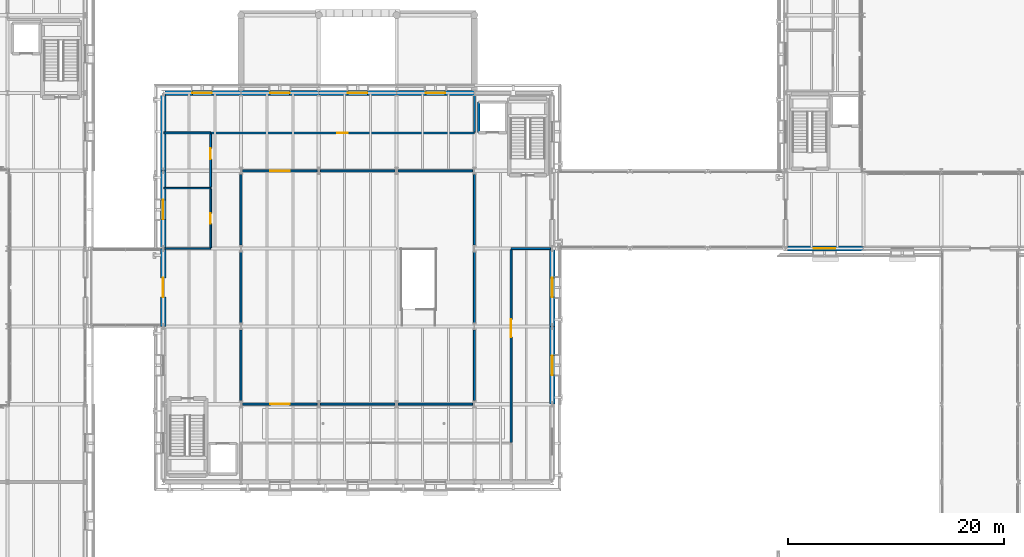
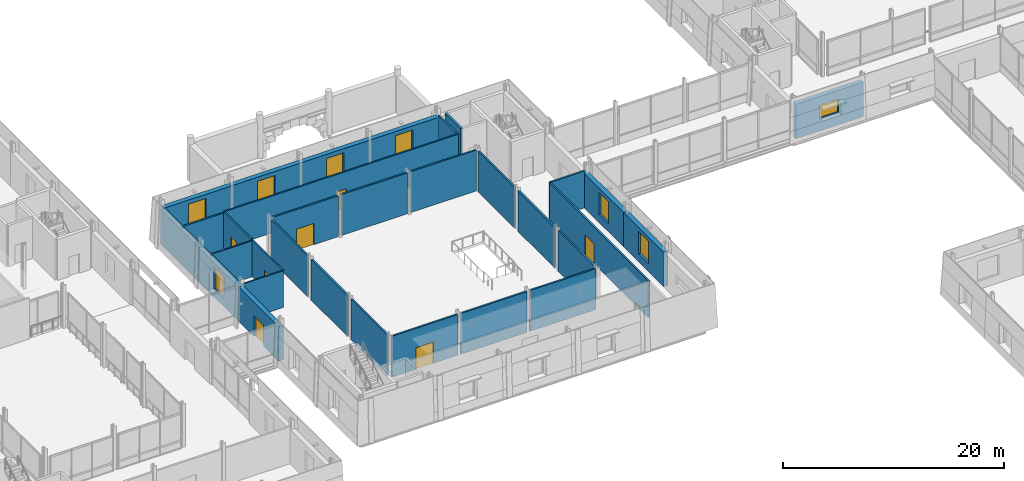
# One storey, part 83 of 121: 32 walls, 8 windows, 7 doors, 15 openings.
"""IFC4 building model written with IfcOpenShell, lengths in metres."""

import ifcopenshell
import ifcopenshell.guid

model = None  # the IFC model being written
_history = None  # IfcOwnerHistory: only IFC2X3 demands one
_inside = {}  # id of a spatial element -> (the spatial element, [elements in it])
_under = {}  # id of a project, library or spatial element -> (it, [spatial elements below it])
_declared = {}  # id of a project -> (the project, [libraries it declares])
_typed = {}  # id of a type object -> (the type object, [elements of that type])
_made_of = {}  # id of a material, layer set ... -> (it, [elements and type objects made of it])


def new_model(schema):
    """Start an empty IFC model of exactly this schema.

    Asked for "IFC4X3", IfcOpenShell would pick the latest addendum, in which some entities
    have other attributes; the version numbers below select the first issue.
    IFC2X3 requires an IfcOwnerHistory on every rooted entity: one is made here for all.
    """
    global model, _history
    if schema == "IFC4X3":
        model = ifcopenshell.file(schema_version=(4, 3, 0, 0))
    else:
        model = ifcopenshell.file(schema=schema)
    _inside.clear()
    _under.clear()
    _declared.clear()
    _typed.clear()
    _made_of.clear()
    _history = None
    if model.schema == "IFC2X3":
        org = make("IfcOrganization", Name="unknown")
        user = make(
            "IfcPersonAndOrganization",
            ThePerson=make("IfcPerson", FamilyName="unknown"),
            TheOrganization=org,
        )
        app = make(
            "IfcApplication",
            ApplicationDeveloper=org,
            Version="unknown",
            ApplicationFullName="unknown",
            ApplicationIdentifier="unknown",
        )
        _history = make(
            "IfcOwnerHistory",
            OwningUser=user,
            OwningApplication=app,
            ChangeAction="ADDED",
            CreationDate=0,
        )
    return model


def make(cls, **values):
    """One entity of the class cls with the attributes given. An attribute that is None is left unset."""
    return model.create_entity(
        cls, **{name: value for name, value in values.items() if value is not None}
    )


def rooted(cls, **values):
    """An entity with a GlobalId (a new one), such as an element, a storey or a relation."""
    return make(cls, GlobalId=ifcopenshell.guid.new(), OwnerHistory=_history, **values)


def si_unit(unit_type, name, prefix=None):
    """IfcSIUnit, for example si_unit("LENGTHUNIT", "METRE", prefix="MILLI")."""
    return make("IfcSIUnit", UnitType=unit_type, Prefix=prefix, Name=name)


def assignment(units):
    """IfcUnitAssignment: the units of a project."""
    return None if units is None else make("IfcUnitAssignment", Units=units)


def point(xyz):
    """IfcCartesianPoint."""
    return None if xyz is None else make("IfcCartesianPoint", Coordinates=xyz)


def direction(xyz):
    """IfcDirection."""
    return None if xyz is None else make("IfcDirection", DirectionRatios=xyz)


def frame(location, z_axis=None, x_axis=None):
    """IfcAxis2Placement3D, a coordinate frame: its origin and axes. An axis left out is left unset."""
    return make(
        "IfcAxis2Placement3D",
        Location=point(location),
        Axis=direction(z_axis),
        RefDirection=direction(x_axis),
    )


def frame_2d(location, x_axis=None):
    """IfcAxis2Placement2D, a coordinate frame in the plane: its origin and x axis."""
    return make(
        "IfcAxis2Placement2D", Location=point(location), RefDirection=direction(x_axis)
    )


def origin():
    """The frame at (0, 0, 0) with its axes left unset."""
    return frame((0.0, 0.0, 0.0))


def place(relative_to, where):
    """IfcLocalPlacement: puts the frame where relative to a parent placement (None: the world)."""
    return make(
        "IfcLocalPlacement", PlacementRelTo=relative_to, RelativePlacement=where
    )


def context(
    kind, dimensions, precision=None, world=None, true_north=None, identifier=None
):
    """IfcGeometricRepresentationContext, for example the 3D "Model" context."""
    return make(
        "IfcGeometricRepresentationContext",
        ContextIdentifier=identifier,
        ContextType=kind,
        CoordinateSpaceDimension=dimensions,
        Precision=precision,
        WorldCoordinateSystem=world,
        TrueNorth=true_north,
    )


def subcontext(parent, identifier, kind, view, scale=None):
    """IfcGeometricRepresentationSubContext, for example "Body" below "Model"."""
    return make(
        "IfcGeometricRepresentationSubContext",
        ContextIdentifier=identifier,
        ContextType=kind,
        ParentContext=parent,
        TargetScale=scale,
        TargetView=view,
    )


def project(units=None, contexts=None):
    """IfcProject with its units and contexts."""
    return rooted(
        "IfcProject",
        Name="project",
        RepresentationContexts=contexts,
        UnitsInContext=assignment(units),
    )


def spatial(cls, under=None, at=None, **own):
    """A site, building, storey or space (cls), placed at a placement, below another one or the project."""
    s = rooted(cls, ObjectPlacement=at, **own)
    if under is not None:
        _under.setdefault(under.id(), (under, []))[1].append(s)
    return s


def profile(cls, at=None, kind="AREA", **sizes):
    """A parametric profile (cls). Its sizes go by their IFC names, for example OverallWidth=200.0."""
    return make(cls, ProfileType=kind, Position=at, **sizes)


def rectangle(**sizes):
    """IfcRectangleProfileDef."""
    return profile("IfcRectangleProfileDef", **sizes)


def extrude(swept, where, along, depth):
    """IfcExtrudedAreaSolid: the profile swept, set in the frame where, extruded along a direction by depth."""
    return make(
        "IfcExtrudedAreaSolid",
        SweptArea=swept,
        Position=where,
        ExtrudedDirection=direction(along),
        Depth=depth,
    )


def shape(context_of_items, identifier, shape_type, items):
    """IfcShapeRepresentation: the items that make up one representation, for example the "Body"."""
    return make(
        "IfcShapeRepresentation",
        ContextOfItems=context_of_items,
        RepresentationIdentifier=identifier,
        RepresentationType=shape_type,
        Items=items,
    )


def material(Name=None, Category=None):
    """IfcMaterial."""
    return make("IfcMaterial", Name=Name, Category=Category)


def layer(
    of_material, thickness, ventilated=None, Name=None, Category=None, Priority=None
):
    """IfcMaterialLayer: one layer of a wall or slab, of a material (None: an air gap)."""
    return make(
        "IfcMaterialLayer",
        Material=of_material,
        LayerThickness=thickness,
        IsVentilated=ventilated,
        Name=Name,
        Category=Category,
        Priority=Priority,
    )


def layer_set(layers, Name=None):
    """IfcMaterialLayerSet."""
    return make("IfcMaterialLayerSet", MaterialLayers=layers, LayerSetName=Name)


def made_of(thing, what):
    """Note that an element or type object is made of a material, layer set ...; save() writes the relation."""
    if what is not None:
        _made_of.setdefault(what.id(), (what, []))[1].append(thing)
    return thing


def type_object(cls, material=None, **own):
    """A type object (cls), such as IfcWallType, which elements share."""
    return made_of(rooted(cls, **own), material)


def element(
    cls,
    number,
    at=None,
    inside=None,
    cuts=None,
    type_object=None,
    material=None,
    context=None,
    identifier="Body",
    shape_type=None,
    held_by="IfcProductDefinitionShape",
    body=None,
    shapes=None,
    **own,
):
    """One element of the class cls, such as IfcWall. Its Tag is "e" and its number.

    at: its placement. inside: the storey or other place that contains it. cuts: it is an
    opening in that element (IfcRelVoidsElement). A single representation is given by context,
    identifier, shape_type and body (its items); several are given by shapes. held_by: the class
    of the entity that holds the representations. save() writes the other relations.
    """
    e = rooted(cls, Tag="e%d" % number, ObjectPlacement=at, **own)
    if body is not None:
        shapes = [shape(context, identifier, shape_type, body)]
    if shapes is not None:
        e.Representation = make(held_by, Representations=shapes)
    if inside is not None:
        _inside.setdefault(inside.id(), (inside, []))[1].append(e)
    if cuts is not None:
        rooted(
            "IfcRelVoidsElement", RelatingBuildingElement=cuts, RelatedOpeningElement=e
        )
    if type_object is not None:
        _typed.setdefault(type_object.id(), (type_object, []))[1].append(e)
    return made_of(e, material)


def fill(opening, filler):
    """IfcRelFillsElement: the door or window that sits in an opening."""
    return rooted(
        "IfcRelFillsElement",
        RelatingOpeningElement=opening,
        RelatedBuildingElement=filler,
    )


def aggregate(whole, parts):
    """IfcRelAggregates: a whole, such as a stair, and the parts it consists of."""
    return rooted("IfcRelAggregates", RelatingObject=whole, RelatedObjects=parts)


def save(model, path):
    """Write the relations noted so far, then the file.

    IfcRelAggregates (storeys below a building ...), IfcRelContainedInSpatialStructure (elements
    in a storey), IfcRelDefinesByType, IfcRelAssociatesMaterial and IfcRelDeclares: one each for
    every whole, place, type object, material and project.
    """
    for whole, parts in _under.values():
        aggregate(whole, parts)
    for where, things in _inside.values():
        rooted(
            "IfcRelContainedInSpatialStructure",
            RelatedElements=things,
            RelatingStructure=where,
        )
    for kind, things in _typed.values():
        rooted("IfcRelDefinesByType", RelatedObjects=things, RelatingType=kind)
    for what, things in _made_of.values():
        rooted("IfcRelAssociatesMaterial", RelatedObjects=things, RelatingMaterial=what)
    for by, libraries in _declared.values():
        rooted("IfcRelDeclares", RelatingContext=by, RelatedDefinitions=libraries)
    model.write(path)


model = new_model("IFC4")

# Units and contexts
model_context = context("Model", 3, precision=1e-05, world=origin(), true_north=direction((0.0, 1.0)))
body_context = subcontext(model_context, "Body", "Model", "MODEL_VIEW")
ifc_project = project(units=[si_unit("LENGTHUNIT", "METRE"), si_unit("AREAUNIT", "SQUARE_METRE"), si_unit("VOLUMEUNIT", "CUBIC_METRE"), si_unit("PLANEANGLEUNIT", "RADIAN"), si_unit("MASSUNIT", "GRAM", prefix="KILO")], contexts=[model_context])

# Site, building, storey
site_placement = place(None, origin())
site = spatial("IfcSite", under=ifc_project, at=site_placement, CompositionType="ELEMENT")
building_placement = place(site_placement, origin())
building = spatial("IfcBuilding", under=site, at=building_placement, Name="Narikvali Park Central Library", CompositionType="ELEMENT")
storey_placement = place(building_placement, frame((0.0, 0.0, 5.39990234375)))
storey = spatial("IfcBuildingStorey", under=building, at=storey_placement, Name="L01", CompositionType="ELEMENT", Elevation=5.39990234375)

# Walls
ifc_material_1 = material(Name="Moisture-Resistant Cement Board on Steel Studs", Category="steel")
ifc_layer_1 = layer(ifc_material_1, 0.14990234375, Name="Moisture-Resistant Cement Board on Steel Studs")
ifc_layer_set_1 = layer_set([ifc_layer_1], Name="Moisture-Resistant Cement Board on Steel Studs")
wall_type_1 = type_object("IfcWallType", Name="Moisture-Resistant WC Partition 150", PredefinedType="PARTITIONING", material=ifc_layer_set_1)
wall_1_placement = place(storey_placement, frame((64.9541015625, 79.199951171875, 0.0), z_axis=(0.0, 0.0, 1.0), x_axis=(1.0, 0.0, 0.0)))
element("IfcWall", 1, at=wall_1_placement, inside=storey, type_object=wall_type_1, Name="Accessible WC and Readers Restrooms L01 Partition S", PredefinedType="PARTITIONING", context=body_context, shape_type="SweptSolid", body=[
    extrude(rectangle(XDim=4.245849609375, YDim=0.14990234375, at=frame_2d((2.123046875, 0.0))), origin(), (0.0, 0.0, 1.0), 4.05517578125),
])
wall_2_placement = place(storey_placement, frame((64.85498046875, 84.800048828125, 0.0), z_axis=(0.0, 0.0, 1.0), x_axis=(1.0, 0.0, 0.0)))
element("IfcWall", 2, at=wall_2_placement, inside=storey, type_object=wall_type_1, Name="Accessible WC and Readers Restrooms L01 Partition N", PredefinedType="PARTITIONING", context=body_context, shape_type="SweptSolid", body=[
    extrude(rectangle(XDim=4.344970703125, YDim=0.14990234375, at=frame_2d((2.17236328125, 0.0))), origin(), (0.0, 0.0, 1.0), 3.955078125),
])

# Wall, opening, door
wall_3_placement = place(storey_placement, frame((69.199951171875, 79.277099609375, 0.0), z_axis=(0.0, 0.0, 1.0), x_axis=(0.0, 1.0, 0.0)))
wall_3 = element("IfcWall", 3, at=wall_3_placement, inside=storey, type_object=wall_type_1, Name="Accessible WC and Readers Restrooms L01 Partition E", PredefinedType="PARTITIONING", context=body_context, shape_type="SweptSolid", body=[
    extrude(rectangle(XDim=5.44580078125, YDim=0.14990234375, at=frame_2d((2.722900390625, 0.0))), origin(), (0.0, 0.0, 1.0), 4.05517578125),
])
opening_1_placement = place(wall_3_placement, frame((2.23291015625, 0.0, 0.0)))
opening_1 = element("IfcOpeningElement", 4, at=opening_1_placement, cuts=wall_3, Name="Opening ID-0002", PredefinedType="OPENING", context=body_context, shape_type="SweptSolid", body=[
    extrude(rectangle(XDim=0.97998046875, YDim=2.10009765625, at=frame_2d((0.489990234375, 1.050048828125))), frame((0.0, 0.0869140625, 0.0), z_axis=(0.0, -1.0, 0.0), x_axis=(1.0, 0.0, 0.0)), (0.0, 0.0, 1.0), 0.173828125),
])
ifc_material_2 = material(Name="Laminate Faced Hardwood Core", Category="wood")
door_type_1 = type_object("IfcDoorType", Name="Accessible WC Outward-Opening Door 980x2100", OperationType="SINGLE_SWING_RIGHT", PredefinedType="DOOR", material=ifc_material_2)
door_1_placement = place(opening_1_placement, frame((0.97998046875, 0.0, 0.0), z_axis=(0.0, 0.0, 1.0), x_axis=(-1.0, 0.0, 0.0)))
door_1 = element("IfcDoor", 5, at=door_1_placement, inside=storey, type_object=door_type_1, Name="Accessible WC and Readers Restrooms L01 Door ID-0002", OperationType="SINGLE_SWING_RIGHT", OverallHeight=2.10009765625, OverallWidth=0.97998046875, PredefinedType="DOOR", context=body_context, shape_type="SweptSolid", body=[
    extrude(rectangle(XDim=0.97998046875, YDim=2.10009765625, at=frame_2d((0.489990234375, 1.050048828125))), frame((0.0, 0.02490234375, 0.0), z_axis=(0.0, -1.0, 0.0), x_axis=(1.0, 0.0, 0.0)), (0.0, 0.0, 1.0), 0.050048828125),
])
fill(opening_1, door_1)

# Wall
ifc_material_3 = material(Name="Acoustic Gypsum on Steel Studs", Category="steel")
ifc_layer_2 = layer(ifc_material_3, 0.179931640625, Name="Acoustic Gypsum on Steel Studs")
ifc_layer_set_2 = layer_set([ifc_layer_2], Name="Acoustic Gypsum on Steel Studs")
wall_type_2 = type_object("IfcWallType", Name="Reading Room Acoustic Partition 180", PredefinedType="PARTITIONING", material=ifc_layer_set_2)
wall_4_placement = place(storey_placement, frame((97.0, 79.199951171875, 0.0), z_axis=(0.0, 0.0, 1.0), x_axis=(1.0, 0.0, 0.0)))
element("IfcWall", 6, at=wall_4_placement, inside=storey, type_object=wall_type_2, Name="Classical Literature Reading Alcove Partition N", PredefinedType="PARTITIONING", context=body_context, shape_type="SweptSolid", body=[
    extrude(rectangle(XDim=3.64599609375, YDim=0.179931640625, at=frame_2d((1.822998046875, 0.0))), origin(), (0.0, 0.0, 1.0), 4.05517578125),
])

# Wall, opening, door
wall_5_placement = place(storey_placement, frame((72.154052734375, 64.800048828125, 0.0), z_axis=(0.0, 0.0, 1.0), x_axis=(1.0, 0.0, 0.0)))
wall_5 = element("IfcWall", 7, at=wall_5_placement, inside=storey, type_object=wall_type_2, Name="Main Reading Hall Partition S", PredefinedType="PARTITIONING", context=body_context, shape_type="SweptSolid", body=[
    extrude(rectangle(XDim=6.891845703125, YDim=0.179931640625, at=frame_2d((3.44580078125, 0.0))), origin(), (0.0, 0.0, 1.0), 4.505126953125),
])
opening_2_placement = place(wall_5_placement, frame((2.5458984375, 0.0, 0.0)))
opening_2 = element("IfcOpeningElement", 8, at=opening_2_placement, cuts=wall_5, Name="Opening ID-0038", PredefinedType="OPENING", context=body_context, shape_type="SweptSolid", body=[
    extrude(rectangle(XDim=1.800048828125, YDim=2.35009765625, at=frame_2d((0.89990234375, 1.175048828125))), frame((0.0, 0.10205078125, 0.0), z_axis=(0.0, -1.0, 0.0), x_axis=(1.0, 0.0, 0.0)), (0.0, 0.0, 1.0), 0.203857421875),
])
ifc_material_4 = material(Name="Solid Caucasian Oak and Acoustic Glass", Category="glass")
door_type_2 = type_object("IfcDoorType", Name="Reading Hall Double Oak Acoustic Door 1800x2350", OperationType="DOUBLE_DOOR_SINGLE_SWING", PredefinedType="DOOR", material=ifc_material_4)
door_2_placement = place(opening_2_placement, frame((1.800048828125, 0.0, 0.0), z_axis=(0.0, 0.0, 1.0), x_axis=(-1.0, 0.0, 0.0)))
door_2 = element("IfcDoor", 9, at=door_2_placement, inside=storey, type_object=door_type_2, Name="Main Reading Hall Door ID-0038", OperationType="DOUBLE_DOOR_SINGLE_SWING", OverallHeight=2.35009765625, OverallWidth=1.800048828125, PredefinedType="DOOR", context=body_context, shape_type="SweptSolid", body=[
    extrude(rectangle(XDim=1.800048828125, YDim=2.35009765625, at=frame_2d((0.89990234375, 1.175048828125))), frame((0.0, 0.02490234375, 0.0), z_axis=(0.0, -1.0, 0.0), x_axis=(1.0, 0.0, 0.0)), (0.0, 0.0, 1.0), 0.050048828125),
])
fill(opening_2, door_2)

# Walls
for number, where, z_axis, x_axis, name in (
    (10, (79.35400390625, 64.800048828125, 0.0), (0.0, 0.0, 1.0), (1.0, 0.0, 0.0), "Main Reading Hall Partition S"),
    (11, (86.553955078125, 64.800048828125, 0.0), (0.0, 0.0, 1.0), (1.0, 0.0, 0.0), "Main Reading Hall Partition S"),
):
    element("IfcWall", number, at=place(storey_placement, frame(where, z_axis=z_axis, x_axis=x_axis)), inside=storey, type_object=wall_type_2, Name=name, PredefinedType="PARTITIONING", context=body_context, shape_type="SweptSolid", body=[
        extrude(rectangle(XDim=6.89208984375, YDim=0.179931640625, at=frame_2d((3.446044921875, 0.0))), origin(), (0.0, 0.0, 1.0), 4.505126953125),
    ])

# Wall, opening, door
wall_6_placement = place(storey_placement, frame((72.154052734375, 86.39990234375, 0.0), z_axis=(0.0, 0.0, 1.0), x_axis=(1.0, 0.0, 0.0)))
wall_6 = element("IfcWall", 12, at=wall_6_placement, inside=storey, type_object=wall_type_2, Name="Main Reading Hall Partition N", PredefinedType="PARTITIONING", context=body_context, shape_type="SweptSolid", body=[
    extrude(rectangle(XDim=6.891845703125, YDim=0.179931640625, at=frame_2d((3.44580078125, 0.0))), origin(), (0.0, 0.0, 1.0), 4.505126953125),
])
opening_3_placement = place(wall_6_placement, frame((2.5458984375, 0.0, 0.0)))
opening_3 = element("IfcOpeningElement", 13, at=opening_3_placement, cuts=wall_6, Name="Opening ID-0039", PredefinedType="OPENING", context=body_context, shape_type="SweptSolid", body=[
    extrude(rectangle(XDim=1.800048828125, YDim=2.35009765625, at=frame_2d((0.89990234375, 1.175048828125))), frame((0.0, 0.10205078125, 0.0), z_axis=(0.0, -1.0, 0.0), x_axis=(1.0, 0.0, 0.0)), (0.0, 0.0, 1.0), 0.203857421875),
])
door_3_placement = place(opening_3_placement, origin())
door_3 = element("IfcDoor", 14, at=door_3_placement, inside=storey, type_object=door_type_2, Name="Main Reading Hall Door ID-0039", OperationType="DOUBLE_DOOR_SINGLE_SWING", OverallHeight=2.35009765625, OverallWidth=1.800048828125, PredefinedType="DOOR", context=body_context, shape_type="SweptSolid", body=[
    extrude(rectangle(XDim=1.800048828125, YDim=2.35009765625, at=frame_2d((0.89990234375, 1.175048828125))), frame((0.0, 0.02490234375, 0.0), z_axis=(0.0, -1.0, 0.0), x_axis=(1.0, 0.0, 0.0)), (0.0, 0.0, 1.0), 0.050048828125),
])
fill(opening_3, door_3)

# Walls
for number, where, z_axis, x_axis, name in (
    (15, (79.35400390625, 86.39990234375, 0.0), (0.0, 0.0, 1.0), (1.0, 0.0, 0.0), "Main Reading Hall Partition N"),
    (16, (86.553955078125, 86.39990234375, 0.0), (0.0, 0.0, 1.0), (1.0, 0.0, 0.0), "Main Reading Hall Partition N"),
):
    element("IfcWall", number, at=place(storey_placement, frame(where, z_axis=z_axis, x_axis=x_axis)), inside=storey, type_object=wall_type_2, Name=name, PredefinedType="PARTITIONING", context=body_context, shape_type="SweptSolid", body=[
        extrude(rectangle(XDim=6.89208984375, YDim=0.179931640625, at=frame_2d((3.446044921875, 0.0))), origin(), (0.0, 0.0, 1.0), 4.505126953125),
    ])
wall_7_placement = place(storey_placement, frame((64.85498046875, 89.89990234375, 0.0), z_axis=(0.0, 0.0, 1.0), x_axis=(1.0, 0.0, 0.0)))
element("IfcWall", 17, at=wall_7_placement, inside=storey, type_object=wall_type_2, Name="Reading Hall Book Trolley Room Partition N", PredefinedType="PARTITIONING", context=body_context, shape_type="SweptSolid", body=[
    extrude(rectangle(XDim=4.344970703125, YDim=0.179931640625, at=frame_2d((2.17236328125, 0.0))), origin(), (0.0, 0.0, 1.0), 3.955078125),
])

# Wall, opening, door
wall_8_placement = place(storey_placement, frame((97.0, 61.27197265625, 0.0), z_axis=(0.0, 0.0, 1.0), x_axis=(0.0, 1.0, 0.0)))
wall_8 = element("IfcWall", 18, at=wall_8_placement, inside=storey, type_object=wall_type_2, Name="Classical Literature Reading Alcove Partition W", PredefinedType="PARTITIONING", context=body_context, shape_type="SweptSolid", body=[
    extrude(rectangle(XDim=17.8359375, YDim=0.179931640625, at=frame_2d((8.91796875, 0.0))), origin(), (0.0, 0.0, 1.0), 4.05517578125),
])
opening_4_placement = place(wall_8_placement, frame((9.737060546875, 0.0, 0.0)))
opening_4 = element("IfcOpeningElement", 19, at=opening_4_placement, cuts=wall_8, Name="Opening ID-0037", PredefinedType="OPENING", context=body_context, shape_type="SweptSolid", body=[
    extrude(rectangle(XDim=1.64990234375, YDim=2.25, at=frame_2d((0.824951171875, 1.125))), frame((0.0, 0.10205078125, 0.0), z_axis=(0.0, -1.0, 0.0), x_axis=(1.0, 0.0, 0.0)), (0.0, 0.0, 1.0), 0.203857421875),
])
ifc_material_5 = material(Name="Caucasian Oak and Tempered Glass", Category="glass")
door_type_3 = type_object("IfcDoorType", Name="Open Stacks Double Glazed Door 1650x2250", OperationType="DOUBLE_DOOR_SINGLE_SWING", PredefinedType="DOOR", material=ifc_material_5)
door_4_placement = place(opening_4_placement, frame((1.64990234375, 0.0, 0.0), z_axis=(0.0, 0.0, 1.0), x_axis=(-1.0, 0.0, 0.0)))
door_4 = element("IfcDoor", 20, at=door_4_placement, inside=storey, type_object=door_type_3, Name="Classical Literature Reading Alcove Door ID-0037", OperationType="DOUBLE_DOOR_SINGLE_SWING", OverallHeight=2.25, OverallWidth=1.64990234375, PredefinedType="DOOR", context=body_context, shape_type="SweptSolid", body=[
    extrude(rectangle(XDim=1.64990234375, YDim=2.25, at=frame_2d((0.824951171875, 1.125))), frame((0.0, 0.02490234375, 0.0), z_axis=(0.0, -1.0, 0.0), x_axis=(1.0, 0.0, 0.0)), (0.0, 0.0, 1.0), 0.050048828125),
])
fill(opening_4, door_4)

# Walls
for number, where, z_axis, x_axis, name in (
    (21, (72.0, 65.12890625, 0.0), (0.0, 0.0, 1.0), (0.0, 1.0, 0.0), "Main Reading Hall Partition W"),
    (22, (72.0, 72.3291015625, 0.0), (0.0, 0.0, 1.0), (0.0, 1.0, 0.0), "Main Reading Hall Partition W"),
    (23, (72.0, 79.529052734375, 0.0), (0.0, 0.0, 1.0), (0.0, 1.0, 0.0), "Main Reading Hall Partition W"),
    (24, (93.60009765625, 65.12890625, 0.0), (0.0, 0.0, 1.0), (0.0, 1.0, 0.0), "Main Reading Hall Partition E"),
    (25, (93.60009765625, 72.3291015625, 0.0), (0.0, 0.0, 1.0), (0.0, 1.0, 0.0), "Main Reading Hall Partition E"),
    (26, (93.60009765625, 79.529052734375, 0.0), (0.0, 0.0, 1.0), (0.0, 1.0, 0.0), "Main Reading Hall Partition E"),
):
    element("IfcWall", number, at=place(storey_placement, frame(where, z_axis=z_axis, x_axis=x_axis)), inside=storey, type_object=wall_type_2, Name=name, PredefinedType="PARTITIONING", context=body_context, shape_type="SweptSolid", body=[
        extrude(rectangle(XDim=6.5419921875, YDim=0.179931640625, at=frame_2d((3.27099609375, 0.0))), origin(), (0.0, 0.0, 1.0), 4.505126953125),
    ])

# Wall, opening, door
wall_9_placement = place(storey_placement, frame((69.199951171875, 84.876953125, 0.0), z_axis=(0.0, 0.0, 1.0), x_axis=(0.0, 1.0, 0.0)))
wall_9 = element("IfcWall", 27, at=wall_9_placement, inside=storey, type_object=wall_type_2, Name="Reading Hall Book Trolley Room Partition E", PredefinedType="PARTITIONING", context=body_context, shape_type="SweptSolid", body=[
    extrude(rectangle(XDim=4.93115234375, YDim=0.179931640625, at=frame_2d((2.465576171875, 0.0))), origin(), (0.0, 0.0, 1.0), 4.05517578125),
])
opening_5_placement = place(wall_9_placement, frame((2.60693359375, 0.0, 0.0)))
opening_5 = element("IfcOpeningElement", 28, at=opening_5_placement, cuts=wall_9, Name="Opening ID-0040", PredefinedType="OPENING", context=body_context, shape_type="SweptSolid", body=[
    extrude(rectangle(XDim=1.0, YDim=2.14990234375, at=frame_2d((0.5, 1.074951171875))), frame((0.0, 0.10205078125, 0.0), z_axis=(0.0, -1.0, 0.0), x_axis=(1.0, 0.0, 0.0)), (0.0, 0.0, 1.0), 0.203857421875),
])
ifc_material_6 = material(Name="Solid Caucasian Oak")
door_type_4 = type_object("IfcDoorType", Name="Study Room Single Oak Door 1000x2150", OperationType="SINGLE_SWING_LEFT", PredefinedType="DOOR", material=ifc_material_6)
door_5_placement = place(opening_5_placement, origin())
door_5 = element("IfcDoor", 29, at=door_5_placement, inside=storey, type_object=door_type_4, Name="Reading Hall Book Trolley Room Door ID-0040", OperationType="SINGLE_SWING_RIGHT", OverallHeight=2.14990234375, OverallWidth=1.0, PredefinedType="DOOR", context=body_context, shape_type="SweptSolid", body=[
    extrude(rectangle(XDim=1.0, YDim=2.14990234375, at=frame_2d((0.5, 1.074951171875))), frame((0.0, 0.02490234375, 0.0), z_axis=(0.0, -1.0, 0.0), x_axis=(1.0, 0.0, 0.0)), (0.0, 0.0, 1.0), 0.050048828125),
])
fill(opening_5, door_5)

# Wall
ifc_material_7 = material(Name="Concrete C40/50", Category="concrete")
ifc_layer_3 = layer(ifc_material_7, 0.25, Name="Concrete C40/50")
ifc_layer_set_3 = layer_set([ifc_layer_3], Name="Concrete C40/50")
wall_type_3 = type_object("IfcWallType", Name="Reinforced Concrete Lift Shaft Wall 250", PredefinedType="SHEAR", material=ifc_layer_set_3)
wall_10_placement = place(storey_placement, frame((94.0, 92.75, 0.0), z_axis=(0.0, 0.0, 1.0), x_axis=(0.0, -1.0, 0.0)))
element("IfcWall", 30, at=wall_10_placement, inside=storey, type_object=wall_type_3, Name="L-02 L01 Lift Shaft Wall W", PredefinedType="SHEAR", context=body_context, shape_type="SweptSolid", body=[
    extrude(rectangle(XDim=2.800048828125, YDim=0.25, at=frame_2d((1.39990234375, 0.0))), origin(), (0.0, 0.0, 1.0), 4.52001953125),
])

# Wall, opening, door
ifc_material_8 = material(Name="Gypsum Board on Galvanised Steel Studs", Category="steel")
ifc_layer_4 = layer(ifc_material_8, 0.159912109375, Name="Gypsum Board on Galvanised Steel Studs")
ifc_layer_set_4 = layer_set([ifc_layer_4], Name="Gypsum Board on Galvanised Steel Studs")
wall_type_4 = type_object("IfcWallType", Name="Study Room Partition Wall 160", PredefinedType="PARTITIONING", material=ifc_layer_set_4)
wall_11_placement = place(storey_placement, frame((69.201904296875, 89.89990234375, 0.0), z_axis=(0.0, 0.0, 1.0), x_axis=(1.0, 0.0, 0.0)))
wall_11 = element("IfcWall", 31, at=wall_11_placement, inside=storey, type_object=wall_type_4, Name="Encyclopaedia Study Gallery Partition S", PredefinedType="PARTITIONING", context=body_context, shape_type="SweptSolid", body=[
    extrude(rectangle(XDim=24.398193359375, YDim=0.159912109375, at=frame_2d((12.19921875, 0.0))), origin(), (0.0, 0.0, 1.0), 4.065185546875),
])
opening_6_placement = place(wall_11_placement, frame((11.698974609375, 0.0, 0.0)))
opening_6 = element("IfcOpeningElement", 32, at=opening_6_placement, cuts=wall_11, Name="Opening ID-0041", PredefinedType="OPENING", context=body_context, shape_type="SweptSolid", body=[
    extrude(rectangle(XDim=1.0, YDim=2.14990234375, at=frame_2d((0.5, 1.074951171875))), frame((0.0, 0.091796875, 0.0), z_axis=(0.0, -1.0, 0.0), x_axis=(1.0, 0.0, 0.0)), (0.0, 0.0, 1.0), 0.183837890625),
])
door_6_placement = place(opening_6_placement, origin())
door_6 = element("IfcDoor", 33, at=door_6_placement, inside=storey, type_object=door_type_4, Name="Encyclopaedia Study Gallery Door ID-0041", OperationType="SINGLE_SWING_LEFT", OverallHeight=2.14990234375, OverallWidth=1.0, PredefinedType="DOOR", context=body_context, shape_type="SweptSolid", body=[
    extrude(rectangle(XDim=1.0, YDim=2.14990234375, at=frame_2d((0.5, 1.074951171875))), frame((0.0, 0.02490234375, 0.0), z_axis=(0.0, -1.0, 0.0), x_axis=(1.0, 0.0, 0.0)), (0.0, 0.0, 1.0), 0.050048828125),
])
fill(opening_6, door_6)

# Wall
wall_12_placement = place(storey_placement, frame((93.60009765625, 89.98193359375, 0.0), z_axis=(0.0, 0.0, 1.0), x_axis=(0.0, 1.0, 0.0)))
element("IfcWall", 34, at=wall_12_placement, inside=storey, type_object=wall_type_4, Name="Encyclopaedia Study Gallery Partition E", PredefinedType="PARTITIONING", context=body_context, shape_type="SweptSolid", body=[
    extrude(rectangle(XDim=3.364013671875, YDim=0.159912109375, at=frame_2d((1.68212890625, 0.0))), origin(), (0.0, 0.0, 1.0), 4.065185546875),
])

# Wall, opening, window
ifc_material_9 = material(Name="White Honed Limestone over Concrete C35/45", Category="masonry")
ifc_layer_5 = layer(ifc_material_9, 0.47998046875, Name="White Honed Limestone over Concrete C35/45")
ifc_layer_set_5 = layer_set([ifc_layer_5], Name="White Honed Limestone over Concrete C35/45")
wall_type_5 = type_object("IfcWallType", Name="White Limestone Battered Tier1 Wall 480", PredefinedType="SOLIDWALL", material=ifc_layer_set_5)
wall_13_placement = place(storey_placement, frame((100.800048828125, 64.800048828125, 0.0), z_axis=(0.0, 0.0, 1.0), x_axis=(0.0, 1.0, 0.0)))
wall_13 = element("IfcWall", 35, at=wall_13_placement, inside=storey, type_object=wall_type_5, Name="V1 L01 E Exterior Limestone Wall B02", PredefinedType="SOLIDWALL", context=body_context, shape_type="SweptSolid", body=[
    extrude(rectangle(XDim=7.199951171875, YDim=0.47998046875, at=frame_2d((3.60009765625, 0.0))), origin(), (0.0, 0.0, 1.0), 3.800048828125),
])
opening_7_placement = place(wall_13_placement, frame((2.699951171875, 0.0, 0.89990234375)))
opening_7 = element("IfcOpeningElement", 36, at=opening_7_placement, cuts=wall_13, Name="Opening WIN-0014", PredefinedType="OPENING", context=body_context, shape_type="SweptSolid", body=[
    extrude(rectangle(XDim=1.800048828125, YDim=2.449951171875, at=frame_2d((0.89990234375, 1.22509765625))), frame((0.0, 0.251953125, 0.0), z_axis=(0.0, -1.0, 0.0), x_axis=(1.0, 0.0, 0.0)), (0.0, 0.0, 1.0), 0.50390625),
])
ifc_material_10 = material(Name="Anodised Bronze Aluminium and Low-E Triple Glazing", Category="aluminium")
window_type_1 = type_object("IfcWindowType", Name="Rotunda Piano Nobile Tall Classical Window 1800x2450", PartitioningType="DOUBLE_PANEL_VERTICAL", PredefinedType="WINDOW", material=ifc_material_10)
window_1_placement = place(opening_7_placement, origin())
window_1 = element("IfcWindow", 37, at=window_1_placement, inside=storey, type_object=window_type_1, Name="V1 L01 E Deep-Reveal Window WIN-0014", OverallHeight=2.449951171875, OverallWidth=1.800048828125, PartitioningType="SINGLE_PANEL", PredefinedType="WINDOW", context=body_context, shape_type="SweptSolid", body=[
    extrude(rectangle(XDim=1.800048828125, YDim=2.449951171875, at=frame_2d((0.89990234375, 1.22509765625))), frame((0.0, 0.030029296875, 0.0), z_axis=(0.0, -1.0, 0.0), x_axis=(1.0, 0.0, 0.0)), (0.0, 0.0, 1.0), 0.06005859375),
])
fill(opening_7, window_1)

wall_14_placement = place(storey_placement, frame((100.800048828125, 72.0, 0.0), z_axis=(0.0, 0.0, 1.0), x_axis=(0.0, 1.0, 0.0)))
wall_14 = element("IfcWall", 38, at=wall_14_placement, inside=storey, type_object=wall_type_5, Name="V1 L01 E Exterior Limestone Wall B03", PredefinedType="SOLIDWALL", context=body_context, shape_type="SweptSolid", body=[
    extrude(rectangle(XDim=7.199951171875, YDim=0.47998046875, at=frame_2d((3.60009765625, 0.0))), origin(), (0.0, 0.0, 1.0), 3.800048828125),
])
opening_8_placement = place(wall_14_placement, frame((2.699951171875, 0.0, 0.89990234375)))
opening_8 = element("IfcOpeningElement", 39, at=opening_8_placement, cuts=wall_14, Name="Opening WIN-0015", PredefinedType="OPENING", context=body_context, shape_type="SweptSolid", body=[
    extrude(rectangle(XDim=1.800048828125, YDim=2.449951171875, at=frame_2d((0.89990234375, 1.22509765625))), frame((0.0, 0.251953125, 0.0), z_axis=(0.0, -1.0, 0.0), x_axis=(1.0, 0.0, 0.0)), (0.0, 0.0, 1.0), 0.50390625),
])
window_2_placement = place(opening_8_placement, origin())
window_2 = element("IfcWindow", 40, at=window_2_placement, inside=storey, type_object=window_type_1, Name="V1 L01 E Deep-Reveal Window WIN-0015", OverallHeight=2.449951171875, OverallWidth=1.800048828125, PartitioningType="SINGLE_PANEL", PredefinedType="WINDOW", context=body_context, shape_type="SweptSolid", body=[
    extrude(rectangle(XDim=1.800048828125, YDim=2.449951171875, at=frame_2d((0.89990234375, 1.22509765625))), frame((0.0, 0.030029296875, 0.0), z_axis=(0.0, -1.0, 0.0), x_axis=(1.0, 0.0, 0.0)), (0.0, 0.0, 1.0), 0.06005859375),
])
fill(opening_8, window_2)

wall_15_placement = place(storey_placement, frame((93.60009765625, 93.60009765625, 0.0), z_axis=(0.0, 0.0, 1.0), x_axis=(-1.0, 0.0, 0.0)))
wall_15 = element("IfcWall", 41, at=wall_15_placement, inside=storey, type_object=wall_type_5, Name="V1 L01 N Exterior Limestone Wall B02", PredefinedType="SOLIDWALL", context=body_context, shape_type="SweptSolid", body=[
    extrude(rectangle(XDim=7.2001953125, YDim=0.47998046875, at=frame_2d((3.60009765625, 0.0))), origin(), (0.0, 0.0, 1.0), 3.800048828125),
])
opening_9_placement = place(wall_15_placement, frame((2.699951171875, 0.0, 0.89990234375)))
opening_9 = element("IfcOpeningElement", 42, at=opening_9_placement, cuts=wall_15, Name="Opening WIN-0017", PredefinedType="OPENING", context=body_context, shape_type="SweptSolid", body=[
    extrude(rectangle(XDim=1.800048828125, YDim=2.449951171875, at=frame_2d((0.89990234375, 1.22509765625))), frame((0.0, 0.251953125, 0.0), z_axis=(0.0, -1.0, 0.0), x_axis=(1.0, 0.0, 0.0)), (0.0, 0.0, 1.0), 0.50390625),
])
window_3_placement = place(opening_9_placement, origin())
window_3 = element("IfcWindow", 43, at=window_3_placement, inside=storey, type_object=window_type_1, Name="V1 L01 N Deep-Reveal Window WIN-0017", OverallHeight=2.449951171875, OverallWidth=1.800048828125, PartitioningType="SINGLE_PANEL", PredefinedType="WINDOW", context=body_context, shape_type="SweptSolid", body=[
    extrude(rectangle(XDim=1.800048828125, YDim=2.449951171875, at=frame_2d((0.89990234375, 1.22509765625))), frame((0.0, 0.030029296875, 0.0), z_axis=(0.0, -1.0, 0.0), x_axis=(1.0, 0.0, 0.0)), (0.0, 0.0, 1.0), 0.06005859375),
])
fill(opening_9, window_3)

wall_16_placement = place(storey_placement, frame((86.39990234375, 93.60009765625, 0.0), z_axis=(0.0, 0.0, 1.0), x_axis=(-1.0, 0.0, 0.0)))
wall_16 = element("IfcWall", 44, at=wall_16_placement, inside=storey, type_object=wall_type_5, Name="V1 L01 N Exterior Limestone Wall B03", PredefinedType="SOLIDWALL", context=body_context, shape_type="SweptSolid", body=[
    extrude(rectangle(XDim=7.199951171875, YDim=0.47998046875, at=frame_2d((3.60009765625, 0.0))), origin(), (0.0, 0.0, 1.0), 3.800048828125),
])
opening_10_placement = place(wall_16_placement, frame((2.699951171875, 0.0, 0.89990234375)))
opening_10 = element("IfcOpeningElement", 45, at=opening_10_placement, cuts=wall_16, Name="Opening WIN-0018", PredefinedType="OPENING", context=body_context, shape_type="SweptSolid", body=[
    extrude(rectangle(XDim=1.800048828125, YDim=2.449951171875, at=frame_2d((0.89990234375, 1.22509765625))), frame((0.0, 0.251953125, 0.0), z_axis=(0.0, -1.0, 0.0), x_axis=(1.0, 0.0, 0.0)), (0.0, 0.0, 1.0), 0.50390625),
])
window_4_placement = place(opening_10_placement, origin())
window_4 = element("IfcWindow", 46, at=window_4_placement, inside=storey, type_object=window_type_1, Name="V1 L01 N Deep-Reveal Window WIN-0018", OverallHeight=2.449951171875, OverallWidth=1.800048828125, PartitioningType="SINGLE_PANEL", PredefinedType="WINDOW", context=body_context, shape_type="SweptSolid", body=[
    extrude(rectangle(XDim=1.800048828125, YDim=2.449951171875, at=frame_2d((0.89990234375, 1.22509765625))), frame((0.0, 0.030029296875, 0.0), z_axis=(0.0, -1.0, 0.0), x_axis=(1.0, 0.0, 0.0)), (0.0, 0.0, 1.0), 0.06005859375),
])
fill(opening_10, window_4)

wall_17_placement = place(storey_placement, frame((79.199951171875, 93.60009765625, 0.0), z_axis=(0.0, 0.0, 1.0), x_axis=(-1.0, 0.0, 0.0)))
wall_17 = element("IfcWall", 47, at=wall_17_placement, inside=storey, type_object=wall_type_5, Name="V1 L01 N Exterior Limestone Wall B04", PredefinedType="SOLIDWALL", context=body_context, shape_type="SweptSolid", body=[
    extrude(rectangle(XDim=7.199951171875, YDim=0.47998046875, at=frame_2d((3.60009765625, 0.0))), origin(), (0.0, 0.0, 1.0), 3.800048828125),
])
opening_11_placement = place(wall_17_placement, frame((2.699951171875, 0.0, 0.89990234375)))
opening_11 = element("IfcOpeningElement", 48, at=opening_11_placement, cuts=wall_17, Name="Opening WIN-0019", PredefinedType="OPENING", context=body_context, shape_type="SweptSolid", body=[
    extrude(rectangle(XDim=1.800048828125, YDim=2.449951171875, at=frame_2d((0.89990234375, 1.22509765625))), frame((0.0, 0.251953125, 0.0), z_axis=(0.0, -1.0, 0.0), x_axis=(1.0, 0.0, 0.0)), (0.0, 0.0, 1.0), 0.50390625),
])
window_5_placement = place(opening_11_placement, origin())
window_5 = element("IfcWindow", 49, at=window_5_placement, inside=storey, type_object=window_type_1, Name="V1 L01 N Deep-Reveal Window WIN-0019", OverallHeight=2.449951171875, OverallWidth=1.800048828125, PartitioningType="SINGLE_PANEL", PredefinedType="WINDOW", context=body_context, shape_type="SweptSolid", body=[
    extrude(rectangle(XDim=1.800048828125, YDim=2.449951171875, at=frame_2d((0.89990234375, 1.22509765625))), frame((0.0, 0.030029296875, 0.0), z_axis=(0.0, -1.0, 0.0), x_axis=(1.0, 0.0, 0.0)), (0.0, 0.0, 1.0), 0.06005859375),
])
fill(opening_11, window_5)

wall_18_placement = place(storey_placement, frame((72.0, 93.60009765625, 0.0), z_axis=(0.0, 0.0, 1.0), x_axis=(-1.0, 0.0, 0.0)))
wall_18 = element("IfcWall", 50, at=wall_18_placement, inside=storey, type_object=wall_type_5, Name="V1 L01 N Exterior Limestone Wall B05", PredefinedType="SOLIDWALL", context=body_context, shape_type="SweptSolid", body=[
    extrude(rectangle(XDim=7.0458984375, YDim=0.47998046875, at=frame_2d((3.52294921875, 0.0))), origin(), (0.0, 0.0, 1.0), 3.800048828125),
])
opening_12_placement = place(wall_18_placement, frame((2.699951171875, 0.0, 0.89990234375)))
opening_12 = element("IfcOpeningElement", 51, at=opening_12_placement, cuts=wall_18, Name="Opening WIN-0020", PredefinedType="OPENING", context=body_context, shape_type="SweptSolid", body=[
    extrude(rectangle(XDim=1.800048828125, YDim=2.449951171875, at=frame_2d((0.89990234375, 1.22509765625))), frame((0.0, 0.251953125, 0.0), z_axis=(0.0, -1.0, 0.0), x_axis=(1.0, 0.0, 0.0)), (0.0, 0.0, 1.0), 0.50390625),
])
window_6_placement = place(opening_12_placement, origin())
window_6 = element("IfcWindow", 52, at=window_6_placement, inside=storey, type_object=window_type_1, Name="V1 L01 N Deep-Reveal Window WIN-0020", OverallHeight=2.449951171875, OverallWidth=1.800048828125, PartitioningType="SINGLE_PANEL", PredefinedType="WINDOW", context=body_context, shape_type="SweptSolid", body=[
    extrude(rectangle(XDim=1.800048828125, YDim=2.449951171875, at=frame_2d((0.89990234375, 1.22509765625))), frame((0.0, 0.030029296875, 0.0), z_axis=(0.0, -1.0, 0.0), x_axis=(1.0, 0.0, 0.0)), (0.0, 0.0, 1.0), 0.06005859375),
])
fill(opening_12, window_6)

# Wall
wall_19_placement = place(storey_placement, frame((64.800048828125, 93.345947265625, 0.0), z_axis=(0.0, 0.0, 1.0), x_axis=(0.0, -1.0, 0.0)))
element("IfcWall", 53, at=wall_19_placement, inside=storey, type_object=wall_type_5, Name="V1 L01 W Exterior Limestone Wall B01", PredefinedType="SOLIDWALL", context=body_context, shape_type="SweptSolid", body=[
    extrude(rectangle(XDim=6.946044921875, YDim=0.47998046875, at=frame_2d((3.47314453125, 0.0))), origin(), (0.0, 0.0, 1.0), 3.800048828125),
])

# Wall, opening, window
wall_20_placement = place(storey_placement, frame((64.800048828125, 86.39990234375, 0.0), z_axis=(0.0, 0.0, 1.0), x_axis=(0.0, -1.0, 0.0)))
wall_20 = element("IfcWall", 54, at=wall_20_placement, inside=storey, type_object=wall_type_5, Name="V1 L01 W Exterior Limestone Wall B02", PredefinedType="SOLIDWALL", context=body_context, shape_type="SweptSolid", body=[
    extrude(rectangle(XDim=7.199951171875, YDim=0.47998046875, at=frame_2d((3.60009765625, 0.0))), origin(), (0.0, 0.0, 1.0), 3.800048828125),
])
opening_13_placement = place(wall_20_placement, frame((2.699951171875, 0.0, 0.89990234375)))
opening_13 = element("IfcOpeningElement", 55, at=opening_13_placement, cuts=wall_20, Name="Opening WIN-0021", PredefinedType="OPENING", context=body_context, shape_type="SweptSolid", body=[
    extrude(rectangle(XDim=1.800048828125, YDim=2.449951171875, at=frame_2d((0.89990234375, 1.22509765625))), frame((0.0, 0.251953125, 0.0), z_axis=(0.0, -1.0, 0.0), x_axis=(1.0, 0.0, 0.0)), (0.0, 0.0, 1.0), 0.50390625),
])
window_7_placement = place(opening_13_placement, origin())
window_7 = element("IfcWindow", 56, at=window_7_placement, inside=storey, type_object=window_type_1, Name="V1 L01 W Deep-Reveal Window WIN-0021", OverallHeight=2.449951171875, OverallWidth=1.800048828125, PartitioningType="SINGLE_PANEL", PredefinedType="WINDOW", context=body_context, shape_type="SweptSolid", body=[
    extrude(rectangle(XDim=1.800048828125, YDim=2.449951171875, at=frame_2d((0.89990234375, 1.22509765625))), frame((0.0, 0.030029296875, 0.0), z_axis=(0.0, -1.0, 0.0), x_axis=(1.0, 0.0, 0.0)), (0.0, 0.0, 1.0), 0.06005859375),
])
fill(opening_13, window_7)

# Wall, opening, door
wall_21_placement = place(storey_placement, frame((64.800048828125, 79.199951171875, 0.0), z_axis=(0.0, 0.0, 1.0), x_axis=(0.0, -1.0, 0.0)))
wall_21 = element("IfcWall", 57, at=wall_21_placement, inside=storey, type_object=wall_type_5, Name="V1 L01 W Exterior Limestone Wall B03", PredefinedType="SOLIDWALL", context=body_context, shape_type="SweptSolid", body=[
    extrude(rectangle(XDim=7.199951171875, YDim=0.47998046875, at=frame_2d((3.60009765625, 0.0))), origin(), (0.0, 0.0, 1.0), 3.800048828125),
])
opening_14_placement = place(wall_21_placement, frame((2.699951171875, 0.0, 0.0)))
opening_14 = element("IfcOpeningElement", 58, at=opening_14_placement, cuts=wall_21, Name="Opening BD-008", PredefinedType="OPENING", context=body_context, shape_type="SweptSolid", body=[
    extrude(rectangle(XDim=1.800048828125, YDim=2.300048828125, at=frame_2d((0.89990234375, 1.14990234375))), frame((0.0, 0.251953125, 0.0), z_axis=(0.0, -1.0, 0.0), x_axis=(1.0, 0.0, 0.0)), (0.0, 0.0, 1.0), 0.50390625),
])
ifc_material_11 = material(Name="Fire-Rated Glazing in Steel S275 Frame", Category="steel")
door_type_5 = type_object("IfcDoorType", Name="Glazed Double Corridor Bridge Fire Door 1800x2300", OperationType="DOUBLE_DOOR_SINGLE_SWING", PredefinedType="DOOR", material=ifc_material_11)
door_7_placement = place(opening_14_placement, origin())
door_7 = element("IfcDoor", 59, at=door_7_placement, inside=storey, type_object=door_type_5, Name="V1 L01 Covered Bridge Fire Door BD-008", OperationType="DOUBLE_DOOR_SINGLE_SWING", OverallHeight=2.300048828125, OverallWidth=1.800048828125, PredefinedType="DOOR", context=body_context, shape_type="SweptSolid", body=[
    extrude(rectangle(XDim=1.800048828125, YDim=2.300048828125, at=frame_2d((0.89990234375, 1.14990234375))), frame((0.0, 0.02490234375, 0.0), z_axis=(0.0, -1.0, 0.0), x_axis=(1.0, 0.0, 0.0)), (0.0, 0.0, 1.0), 0.050048828125),
])
fill(opening_14, door_7)

# Wall, opening, window
wall_22_placement = place(storey_placement, frame((122.553955078125, 79.199951171875, 0.0), z_axis=(0.0, 0.0, 1.0), x_axis=(1.0, 0.0, 0.0)))
wall_22 = element("IfcWall", 60, at=wall_22_placement, inside=storey, type_object=wall_type_5, Name="V3 L01 S Exterior Limestone Wall B01", PredefinedType="SOLIDWALL", context=body_context, shape_type="SweptSolid", body=[
    extrude(rectangle(XDim=7.046142578125, YDim=0.47998046875, at=frame_2d((3.52294921875, 0.0))), origin(), (0.0, 0.0, 1.0), 3.800048828125),
])
opening_15_placement = place(wall_22_placement, frame((2.446044921875, 0.0, 1.35009765625)))
opening_15 = element("IfcOpeningElement", 61, at=opening_15_placement, cuts=wall_22, Name="Opening WIN-0088", PredefinedType="OPENING", context=body_context, shape_type="SweptSolid", body=[
    extrude(rectangle(XDim=2.0, YDim=1.5, at=frame_2d((1.0, 0.75))), frame((0.0, 0.251953125, 0.0), z_axis=(0.0, -1.0, 0.0), x_axis=(1.0, 0.0, 0.0)), (0.0, 0.0, 1.0), 0.50390625),
])
window_type_2 = type_object("IfcWindowType", Name="Auditorium Acoustic Clerestory Window 2000x1500", PartitioningType="DOUBLE_PANEL_HORIZONTAL", PredefinedType="WINDOW", material=ifc_material_10)
window_8_placement = place(opening_15_placement, origin())
window_8 = element("IfcWindow", 62, at=window_8_placement, inside=storey, type_object=window_type_2, Name="V3 L01 S Deep-Reveal Window WIN-0088", OverallHeight=1.5, OverallWidth=2.0, PartitioningType="SINGLE_PANEL", PredefinedType="WINDOW", context=body_context, shape_type="SweptSolid", body=[
    extrude(rectangle(XDim=2.0, YDim=1.5, at=frame_2d((1.0, 0.75))), frame((0.0, 0.030029296875, 0.0), z_axis=(0.0, -1.0, 0.0), x_axis=(1.0, 0.0, 0.0)), (0.0, 0.0, 1.0), 0.06005859375),
])
fill(opening_15, window_8)

save(model, "model.ifc")
